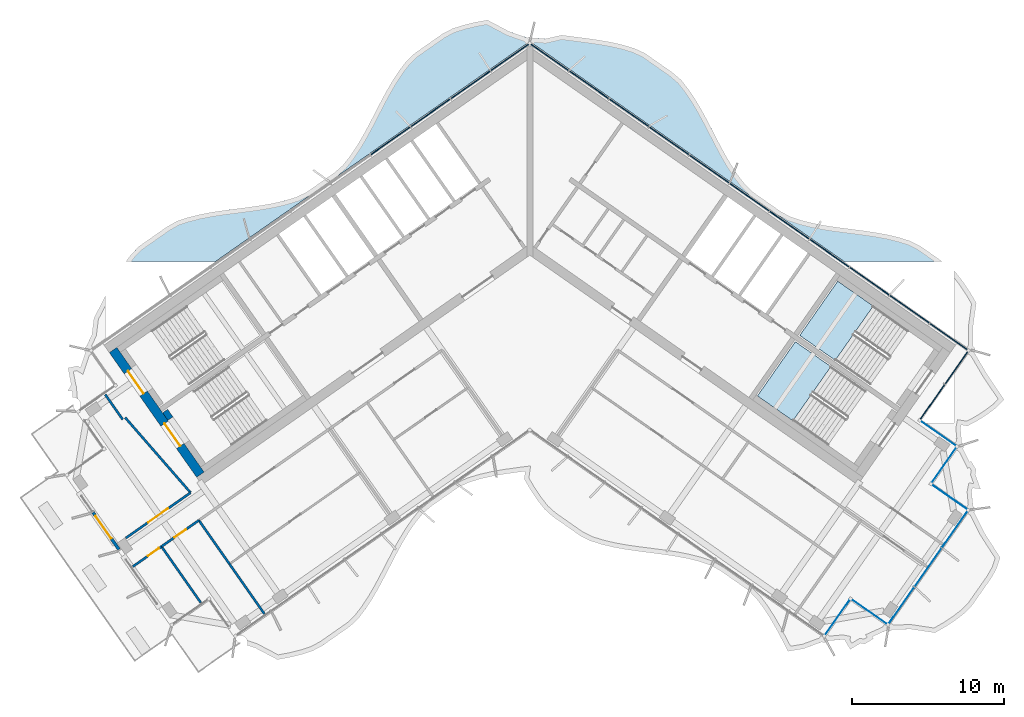
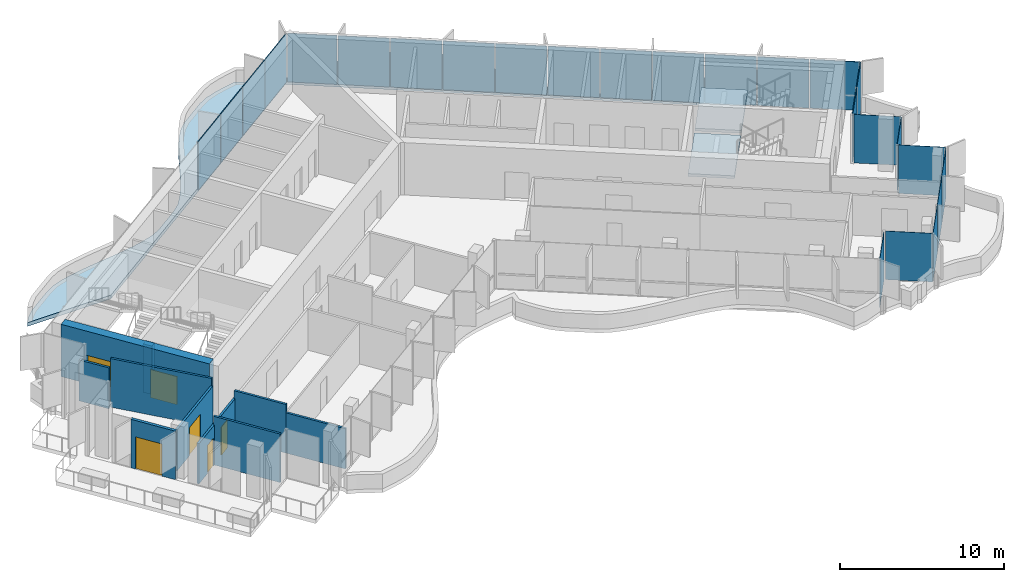
# One storey, part 8 of 18: 25 plates, 11 walls, 6 doors, 3 slabs, 6 openings, 4 elements without a shape of their own.
"""IFC4 building model written with IfcOpenShell, lengths in metres."""

from ifc_helpers import new_model, si_unit, direction, frame, frame_2d, origin, origin_2d, place, context, subcontext, project, spatial, polyline, rectangle, outline, extrude, material, layer, layer_set, type_object, element, fill, aggregate, save


model = new_model("IFC4")

# Units and contexts
model_context = context("Model", 3, precision=1e-05, world=origin(), true_north=direction((0.0, 1.0)))
body_context = subcontext(model_context, "Body", "Model", "MODEL_VIEW")
ifc_project = project(units=[si_unit("LENGTHUNIT", "METRE"), si_unit("AREAUNIT", "SQUARE_METRE"), si_unit("VOLUMEUNIT", "CUBIC_METRE"), si_unit("PLANEANGLEUNIT", "RADIAN"), si_unit("MASSUNIT", "GRAM", prefix="KILO")], contexts=[model_context])

# Site, building, storey
site_placement = place(None, origin())
site = spatial("IfcSite", under=ifc_project, at=site_placement, CompositionType="ELEMENT")
building_placement = place(site_placement, origin())
building = spatial("IfcBuilding", under=site, at=building_placement, Name="Tel Ilan Convention Tower", CompositionType="ELEMENT")
storey_placement = place(building_placement, frame((0.0, 0.0, 295.60009765625)))
storey = spatial("IfcBuildingStorey", under=building, at=storey_placement, Name="L70", CompositionType="ELEMENT", Elevation=295.60009765625)

# Curtain wall, plates
ifc_material_1 = material(Name="Aluminium, bronze anodised", Category="aluminium")
curtain_wall_type_1 = type_object("IfcCurtainWallType", Name="CW2 STICK CURTAIN WALL, SPANDREL PANELS", PredefinedType="NOTDEFINED", material=ifc_material_1)
curtain_wall_1_placement = place(storey_placement, origin())
curtain_wall_1 = element("IfcCurtainWall", 1, at=curtain_wall_1_placement, inside=storey, type_object=curtain_wall_type_1, Name="Curtain wall CW2-53.01", PredefinedType="NOTDEFINED")
ifc_material_2 = material(Name="Aluminium composite panel, bronze anodised", Category="aluminium")
ifc_layer_1 = layer(ifc_material_2, 0.06005859375)
ifc_layer_set_1 = layer_set([ifc_layer_1], Name="CW SPANDREL PANEL 60")
plate_type_1 = type_object("IfcPlateType", Name="CW SPANDREL PANEL 60", PredefinedType="CURTAIN_PANEL", material=ifc_layer_set_1)
plate_1_placement = place(storey_placement, frame((26.45947265625, -10.85400390625, -0.000244140625), z_axis=(0.0, 0.0, 1.0), x_axis=(0.573576436351, 0.819152044289, 0.0)))
plate_1 = element("IfcPlate", 2, at=plate_1_placement, type_object=plate_type_1, Name="Spandrel panel", PredefinedType="CURTAIN_PANEL", context=body_context, shape_type="SweptSolid", body=[
    extrude(rectangle(XDim=2.76904296875, YDim=0.06005859375, at=origin_2d()), origin(), (0.0, 0.0, 1.0), 3.6201171875),
])
plate_2_placement = place(storey_placement, frame((28.042236328125, -8.593505859375, -0.000244140625), z_axis=(0.0, 0.0, 1.0), x_axis=(0.573576436351, 0.819152044289, 0.0)))
plate_2 = element("IfcPlate", 3, at=plate_2_placement, type_object=plate_type_1, Name="Spandrel panel", PredefinedType="CURTAIN_PANEL", context=body_context, shape_type="SweptSolid", body=[
    extrude(rectangle(XDim=2.6298828125, YDim=0.06005859375, at=origin_2d()), origin(), (0.0, 0.0, 1.0), 3.6201171875),
])
plate_3_placement = place(storey_placement, frame((27.5400390625, -6.587646484375, -0.000244140625), z_axis=(0.0, 0.0, 1.0), x_axis=(-0.819152044289, 0.573576436351, 0.0)))
plate_3 = element("IfcPlate", 4, at=plate_3_placement, type_object=plate_type_1, Name="Spandrel panel", PredefinedType="CURTAIN_PANEL", context=body_context, shape_type="SweptSolid", body=[
    extrude(rectangle(XDim=3.0439453125, YDim=0.06005859375, at=origin_2d()), origin(), (0.0, 0.0, 1.0), 3.6201171875),
])
plate_4_placement = place(storey_placement, frame((24.95263671875, -4.77587890625, -0.000244140625), z_axis=(0.0, 0.0, 1.0), x_axis=(-0.819152044289, 0.573576436351, 0.0)))
plate_4 = element("IfcPlate", 5, at=plate_4_placement, type_object=plate_type_1, Name="Spandrel panel", PredefinedType="CURTAIN_PANEL", context=body_context, shape_type="SweptSolid", body=[
    extrude(rectangle(XDim=3.15380859375, YDim=0.06005859375, at=origin_2d()), origin(), (0.0, 0.0, 1.0), 3.6201171875),
])
plate_5_placement = place(storey_placement, frame((22.31982421875, -2.9326171875, -0.000244140625), z_axis=(0.0, 0.0, 1.0), x_axis=(-0.819152044289, 0.573576436351, 0.0)))
plate_5 = element("IfcPlate", 6, at=plate_5_placement, type_object=plate_type_1, Name="Spandrel panel", PredefinedType="CURTAIN_PANEL", context=body_context, shape_type="SweptSolid", body=[
    extrude(rectangle(XDim=3.15380859375, YDim=0.06005859375, at=origin_2d()), origin(), (0.0, 0.0, 1.0), 3.6201171875),
])
plate_6_placement = place(storey_placement, frame((19.687255859375, -1.089111328125, -0.000244140625), z_axis=(0.0, 0.0, 1.0), x_axis=(-0.819152044289, 0.573576436351, 0.0)))
plate_6 = element("IfcPlate", 7, at=plate_6_placement, type_object=plate_type_1, Name="Spandrel panel", PredefinedType="CURTAIN_PANEL", context=body_context, shape_type="SweptSolid", body=[
    extrude(rectangle(XDim=3.15380859375, YDim=0.06005859375, at=origin_2d()), origin(), (0.0, 0.0, 1.0), 3.6201171875),
])
plate_7_placement = place(storey_placement, frame((17.0546875, 0.754150390625, -0.000244140625), z_axis=(0.0, 0.0, 1.0), x_axis=(-0.819152044289, 0.573576436351, 0.0)))
plate_7 = element("IfcPlate", 8, at=plate_7_placement, type_object=plate_type_1, Name="Spandrel panel", PredefinedType="CURTAIN_PANEL", context=body_context, shape_type="SweptSolid", body=[
    extrude(rectangle(XDim=3.15380859375, YDim=0.06005859375, at=origin_2d()), origin(), (0.0, 0.0, 1.0), 3.6201171875),
])
plate_8_placement = place(storey_placement, frame((14.422119140625, 2.59765625, -0.000244140625), z_axis=(0.0, 0.0, 1.0), x_axis=(-0.819152044289, 0.573576436351, 0.0)))
plate_8 = element("IfcPlate", 9, at=plate_8_placement, type_object=plate_type_1, Name="Spandrel panel", PredefinedType="CURTAIN_PANEL", context=body_context, shape_type="SweptSolid", body=[
    extrude(rectangle(XDim=3.15380859375, YDim=0.06005859375, at=origin_2d()), origin(), (0.0, 0.0, 1.0), 3.6201171875),
])
plate_9_placement = place(storey_placement, frame((11.789306640625, 4.44091796875, -0.000244140625), z_axis=(0.0, 0.0, 1.0), x_axis=(-0.819152044289, 0.573576436351, 0.0)))
plate_9 = element("IfcPlate", 10, at=plate_9_placement, type_object=plate_type_1, Name="Spandrel panel", PredefinedType="CURTAIN_PANEL", context=body_context, shape_type="SweptSolid", body=[
    extrude(rectangle(XDim=3.15380859375, YDim=0.06005859375, at=origin_2d()), origin(), (0.0, 0.0, 1.0), 3.6201171875),
])
plate_10_placement = place(storey_placement, frame((9.15673828125, 6.284423828125, -0.000244140625), z_axis=(0.0, 0.0, 1.0), x_axis=(-0.819152044289, 0.573576436351, 0.0)))
plate_10 = element("IfcPlate", 11, at=plate_10_placement, type_object=plate_type_1, Name="Spandrel panel", PredefinedType="CURTAIN_PANEL", context=body_context, shape_type="SweptSolid", body=[
    extrude(rectangle(XDim=3.15380859375, YDim=0.06005859375, at=origin_2d()), origin(), (0.0, 0.0, 1.0), 3.6201171875),
])
plate_11_placement = place(storey_placement, frame((6.524169921875, 8.127685546875, -0.000244140625), z_axis=(0.0, 0.0, 1.0), x_axis=(-0.819152044289, 0.573576436351, 0.0)))
plate_11 = element("IfcPlate", 12, at=plate_11_placement, type_object=plate_type_1, Name="Spandrel panel", PredefinedType="CURTAIN_PANEL", context=body_context, shape_type="SweptSolid", body=[
    extrude(rectangle(XDim=3.15380859375, YDim=0.06005859375, at=origin_2d()), origin(), (0.0, 0.0, 1.0), 3.6201171875),
])
plate_12_placement = place(storey_placement, frame((3.8916015625, 9.97119140625, -0.000244140625), z_axis=(0.0, 0.0, 1.0), x_axis=(-0.819152044289, 0.573576436351, 0.0)))
plate_12 = element("IfcPlate", 13, at=plate_12_placement, type_object=plate_type_1, Name="Spandrel panel", PredefinedType="CURTAIN_PANEL", context=body_context, shape_type="SweptSolid", body=[
    extrude(rectangle(XDim=3.15380859375, YDim=0.06005859375, at=origin_2d()), origin(), (0.0, 0.0, 1.0), 3.6201171875),
])
plate_13_placement = place(storey_placement, frame((1.303955078125, 11.782958984375, -0.000244140625), z_axis=(0.0, 0.0, 1.0), x_axis=(-0.819152044289, 0.573576436351, 0.0)))
plate_13 = element("IfcPlate", 14, at=plate_13_placement, type_object=plate_type_1, Name="Spandrel panel", PredefinedType="CURTAIN_PANEL", context=body_context, shape_type="SweptSolid", body=[
    extrude(rectangle(XDim=3.0439453125, YDim=0.06005859375, at=origin_2d()), origin(), (0.0, 0.0, 1.0), 3.6201171875),
])
plate_14_placement = place(storey_placement, frame((-1.303955078125, 11.782958984375, -0.000244140625), z_axis=(0.0, 0.0, 1.0), x_axis=(-0.819152044289, -0.573576436351, 0.0)))
plate_14 = element("IfcPlate", 15, at=plate_14_placement, type_object=plate_type_1, Name="Spandrel panel", PredefinedType="CURTAIN_PANEL", context=body_context, shape_type="SweptSolid", body=[
    extrude(rectangle(XDim=3.0439453125, YDim=0.06005859375, at=origin_2d()), origin(), (0.0, 0.0, 1.0), 3.6201171875),
])
plate_15_placement = place(storey_placement, frame((-3.8916015625, 9.97119140625, -0.000244140625), z_axis=(0.0, 0.0, 1.0), x_axis=(-0.819152044289, -0.573576436351, 0.0)))
plate_15 = element("IfcPlate", 16, at=plate_15_placement, type_object=plate_type_1, Name="Spandrel panel", PredefinedType="CURTAIN_PANEL", context=body_context, shape_type="SweptSolid", body=[
    extrude(rectangle(XDim=3.15380859375, YDim=0.06005859375, at=origin_2d()), origin(), (0.0, 0.0, 1.0), 3.6201171875),
])
plate_16_placement = place(storey_placement, frame((-6.524169921875, 8.127685546875, -0.000244140625), z_axis=(0.0, 0.0, 1.0), x_axis=(-0.819152044289, -0.573576436351, 0.0)))
plate_16 = element("IfcPlate", 17, at=plate_16_placement, type_object=plate_type_1, Name="Spandrel panel", PredefinedType="CURTAIN_PANEL", context=body_context, shape_type="SweptSolid", body=[
    extrude(rectangle(XDim=3.15380859375, YDim=0.06005859375, at=origin_2d()), origin(), (0.0, 0.0, 1.0), 3.6201171875),
])
plate_17_placement = place(storey_placement, frame((-9.15673828125, 6.284423828125, -0.000244140625), z_axis=(0.0, 0.0, 1.0), x_axis=(-0.819152044289, -0.573576436351, 0.0)))
plate_17 = element("IfcPlate", 18, at=plate_17_placement, type_object=plate_type_1, Name="Spandrel panel", PredefinedType="CURTAIN_PANEL", context=body_context, shape_type="SweptSolid", body=[
    extrude(rectangle(XDim=3.15380859375, YDim=0.06005859375, at=origin_2d()), origin(), (0.0, 0.0, 1.0), 3.6201171875),
])
aggregate(curtain_wall_1, [plate_1, plate_2, plate_3, plate_4, plate_5, plate_6, plate_7, plate_8, plate_9, plate_10, plate_11, plate_12, plate_13, plate_14, plate_15, plate_16, plate_17])

ifc_material_3 = material(Name="Aluminium, bronze anodised", Category="aluminium")
curtain_wall_type_2 = type_object("IfcCurtainWallType", Name="CW5 STICK CURTAIN WALL, UPPER OFFICE LOW-IRON TINTED GLASS", PredefinedType="NOTDEFINED", material=ifc_material_3)
curtain_wall_2_placement = place(storey_placement, origin())
curtain_wall_2 = element("IfcCurtainWall", 19, at=curtain_wall_2_placement, inside=storey, type_object=curtain_wall_type_2, Name="Curtain wall CW5-53.04", PredefinedType="NOTDEFINED")
ifc_material_4 = material(Name="Glass, low-iron bronze tinted, two-ply", Category="glass")
ifc_layer_2 = layer(ifc_material_4, 0.031982421875)
ifc_layer_set_2 = layer_set([ifc_layer_2], Name="CW UPPER GLASS PANEL 32")
plate_type_2 = type_object("IfcPlateType", Name="CW UPPER GLASS PANEL 32", PredefinedType="CURTAIN_PANEL", material=ifc_layer_set_2)
plate_18_placement = place(storey_placement, frame((20.184814453125, -25.04541015625, -0.000244140625), z_axis=(0.0, 0.0, 1.0), x_axis=(0.573576436351, 0.819152044289, 0.0)))
plate_18 = element("IfcPlate", 20, at=plate_18_placement, type_object=plate_type_2, Name="Glass panel", PredefinedType="CURTAIN_PANEL", context=body_context, shape_type="SweptSolid", body=[
    extrude(rectangle(XDim=2.875, YDim=0.028076171875, at=origin_2d()), origin(), (0.0, 0.0, 1.0), 3.6201171875),
])
plate_19_placement = place(storey_placement, frame((22.32763671875, -24.667724609375, -0.000244140625), z_axis=(0.0, 0.0, 1.0), x_axis=(0.819152044289, -0.573576436351, 0.0)))
plate_19 = element("IfcPlate", 21, at=plate_19_placement, type_object=plate_type_2, Name="Glass panel", PredefinedType="CURTAIN_PANEL", context=body_context, shape_type="SweptSolid", body=[
    extrude(rectangle(XDim=2.875, YDim=0.028076171875, at=origin_2d()), origin(), (0.0, 0.0, 1.0), 3.6201171875),
])
plate_20_placement = place(storey_placement, frame((24.39306640625, -24.26611328125, -0.000244140625), z_axis=(0.0, 0.0, 1.0), x_axis=(0.573576436351, 0.819152044289, 0.0)))
plate_20 = element("IfcPlate", 22, at=plate_20_placement, type_object=plate_type_2, Name="Glass panel", PredefinedType="CURTAIN_PANEL", context=body_context, shape_type="SweptSolid", body=[
    extrude(rectangle(XDim=2.979248046875, YDim=0.028076171875, at=origin_2d()), origin(), (0.0, 0.0, 1.0), 3.6201171875),
])
plate_21_placement = place(storey_placement, frame((26.163330078125, -21.73779296875, -0.000244140625), z_axis=(0.0, 0.0, 1.0), x_axis=(0.573576436351, 0.819152044289, 0.0)))
plate_21 = element("IfcPlate", 23, at=plate_21_placement, type_object=plate_type_2, Name="Glass panel", PredefinedType="CURTAIN_PANEL", context=body_context, shape_type="SweptSolid", body=[
    extrude(rectangle(XDim=3.0732421875, YDim=0.028076171875, at=origin_2d()), origin(), (0.0, 0.0, 1.0), 3.6201171875),
])
plate_22_placement = place(storey_placement, frame((27.93359375, -19.209716796875, -0.000244140625), z_axis=(0.0, 0.0, 1.0), x_axis=(0.573576436351, 0.819152044289, 0.0)))
plate_22 = element("IfcPlate", 24, at=plate_22_placement, type_object=plate_type_2, Name="Glass panel", PredefinedType="CURTAIN_PANEL", context=body_context, shape_type="SweptSolid", body=[
    extrude(rectangle(XDim=2.979248046875, YDim=0.028076171875, at=origin_2d()), origin(), (0.0, 0.0, 1.0), 3.6201171875),
])
plate_23_placement = place(storey_placement, frame((27.6044921875, -17.131591796875, -0.000244140625), z_axis=(0.0, 0.0, 1.0), x_axis=(-0.819152044289, 0.573576436351, 0.0)))
plate_23 = element("IfcPlate", 25, at=plate_23_placement, type_object=plate_type_2, Name="Glass panel", PredefinedType="CURTAIN_PANEL", context=body_context, shape_type="SweptSolid", body=[
    extrude(rectangle(XDim=2.875, YDim=0.028076171875, at=origin_2d()), origin(), (0.0, 0.0, 1.0), 3.6201171875),
])
plate_24_placement = place(storey_placement, frame((27.2265625, -14.98876953125, -0.000244140625), z_axis=(0.0, 0.0, 1.0), x_axis=(0.573576436351, 0.819152044289, 0.0)))
plate_24 = element("IfcPlate", 26, at=plate_24_placement, type_object=plate_type_2, Name="Glass panel", PredefinedType="CURTAIN_PANEL", context=body_context, shape_type="SweptSolid", body=[
    extrude(rectangle(XDim=2.875, YDim=0.028076171875, at=origin_2d()), origin(), (0.0, 0.0, 1.0), 3.6201171875),
])
plate_25_placement = place(storey_placement, frame((26.86767578125, -12.953369140625, -0.000244140625), z_axis=(0.0, 0.0, 1.0), x_axis=(-0.819152044289, 0.573576436351, 0.0)))
plate_25 = element("IfcPlate", 27, at=plate_25_placement, type_object=plate_type_2, Name="Glass panel", PredefinedType="CURTAIN_PANEL", context=body_context, shape_type="SweptSolid", body=[
    extrude(rectangle(XDim=2.875, YDim=0.028076171875, at=origin_2d()), origin(), (0.0, 0.0, 1.0), 3.6201171875),
])
aggregate(curtain_wall_2, [plate_18, plate_19, plate_20, plate_21, plate_22, plate_23, plate_24, plate_25])

# Stair, slab
ifc_material_5 = material(Name="Concrete C40/50", Category="concrete")
stair_type = type_object("IfcStairType", Name="Pressurised Exit Stair 22 risers 177 mm", PredefinedType="HALF_TURN_STAIR", material=ifc_material_5)
stair_1_placement = place(storey_placement, origin())
stair_1 = element("IfcStair", 28, at=stair_1_placement, inside=storey, type_object=stair_type, Name="L70 Pressurised Stair S3", PredefinedType="HALF_TURN_STAIR")
ifc_material_6 = material(Name="Concrete C40/50", Category="concrete")
ifc_layer_3 = layer(ifc_material_6, 0.199951171875)
ifc_layer_set_3 = layer_set([ifc_layer_3], Name="Concrete Stair Landing 200 mm C40/50")
slab_type_1 = type_object("IfcSlabType", Name="Concrete Stair Landing 200 mm", PredefinedType="LANDING", material=ifc_layer_set_3)
slab_1_placement = place(storey_placement, frame((0.0, 0.0, 1.75)))
slab_1 = element("IfcSlab", 29, at=slab_1_placement, type_object=slab_type_1, Name="S3 landing 1", PredefinedType="LANDING", context=body_context, shape_type="SweptSolid", body=[
    extrude(outline(polyline([(22.561767578125, -4.566650390625), (20.226318359375, -2.931640625), (17.7314453125, -6.494873046875), (20.066650390625, -8.130126953125), (22.561767578125, -4.566650390625)])), origin(), (0.0, 0.0, 1.0), 0.199951171875),
])
aggregate(stair_1, [slab_1])

stair_2_placement = place(storey_placement, origin())
stair_2 = element("IfcStair", 30, at=stair_2_placement, inside=storey, type_object=stair_type, Name="L70 Pressurised Stair S4", PredefinedType="HALF_TURN_STAIR")
slab_2_placement = place(storey_placement, frame((0.0, 0.0, 1.75)))
slab_2 = element("IfcSlab", 31, at=slab_2_placement, type_object=slab_type_1, Name="S4 landing 1", PredefinedType="LANDING", context=body_context, shape_type="SweptSolid", body=[
    extrude(outline(polyline([(19.77978515625, -8.53955078125), (17.444580078125, -6.904541015625), (14.949462890625, -10.4677734375), (17.28466796875, -12.10302734375), (19.77978515625, -8.53955078125)])), origin(), (0.0, 0.0, 1.0), 0.199951171875),
])
aggregate(stair_2, [slab_2])

# Slab
ifc_material_7 = material(Name="Concrete C40/50", Category="concrete")
ifc_layer_4 = layer(ifc_material_7, 0.280029296875)
ifc_layer_set_4 = layer_set([ifc_layer_4], Name="Edge Ledge Slab 280 mm C40/50")
slab_type_2 = type_object("IfcSlabType", Name="Edge Ledge Slab 280 mm C40/50", PredefinedType="FLOOR", material=ifc_layer_set_4)
slab_3_placement = place(storey_placement, frame((0.0, 0.0, -0.280029296875)))
element("IfcSlab", 32, at=slab_3_placement, inside=storey, type_object=slab_type_2, Name="L70 edge ledge 2", PredefinedType="FLOOR", context=body_context, shape_type="SweptSolid", body=[
    extrude(outline(polyline([(-23.1982421875, 1.006591796875), (-22.4697265625, 1.250244140625), (-21.705322265625, 1.44287109375), (-20.91259765625, 1.594482421875), (-20.099365234375, 1.71728515625), (-19.275146484375, 1.824462890625), (-18.44970703125, 1.9296875), (-17.6328125, 2.047119140625), (-16.833984375, 2.18994140625), (-16.0615234375, 2.37109375), (-15.3232421875, 2.6005859375), (-14.651611328125, 2.92529296875), (-12.841552734375, 4.192626953125), (-12.284912109375, 4.681640625), (-11.809326171875, 5.28662109375), (-11.369140625, 5.94189453125), (-10.956787109375, 6.63720703125), (-10.564453125, 7.36083984375), (-10.182373046875, 8.09912109375), (-9.80078125, 8.83837890625), (-9.410400390625, 9.564697265625), (-9.001220703125, 10.264404296875), (-8.56494140625, 10.925537109375), (-8.094482421875, 11.53759765625), (-7.552001953125, 12.047119140625), (-5.7421875, 13.314208984375), (-5.0849609375, 13.66015625), (-4.3515625, 13.896484375), (-3.5830078125, 14.083251953125), (-2.785888671875, 14.228515625), (-1.357666015625, 13.472900390625), (-0.172119140625, 13.06396484375), (-0.168701171875, 13.05908203125), (-0.11474609375, 13.09521484375), (0.0, 13.1181640625), (0.11474609375, 13.09521484375), (0.168701171875, 13.05908203125), (0.172119140625, 13.06396484375), (1.02001953125, 12.99072265625), (2.08935546875, 13.234130859375), (2.913818359375, 13.12744140625), (3.739501953125, 13.0224609375), (4.55712890625, 12.90625), (5.357666015625, 12.765380859375), (6.132080078125, 12.587158203125), (6.872802734375, 12.361083984375), (7.552001953125, 12.047119140625), (9.36181640625, 10.77978515625), (9.925537109375, 10.300537109375), (10.403564453125, 9.69921875), (10.845947265625, 9.046875), (11.259521484375, 8.353515625), (11.653076171875, 7.631591796875), (12.035400390625, 6.893798828125), (12.416748046875, 6.154052734375), (12.806396484375, 5.426513671875), (13.214111328125, 4.724609375), (13.648193359375, 4.060791015625), (14.116455078125, 3.4453125), (14.651611328125, 2.92529296875), (16.46142578125, 1.657958984375), (17.111328125, 1.30224609375), (17.84228515625, 1.062255859375), (18.60888671875, 0.87255859375), (19.4033203125, 0.72314453125), (20.21728515625, 0.601806640625), (21.0419921875, 0.495361328125), (21.8671875, 0.3896484375), (22.68310546875, 0.27099609375), (23.480712890625, 0.1259765625), (24.2509765625, -0.057861328125), (24.987060546875, -0.290771484375), (25.6513671875, -0.626220703125), (27.087158203125, -1.631591796875), (20.63623046875, -1.631591796875), (0.0, 12.818115234375), (-20.63623046875, -1.631591796875), (-26.535888671875, -1.631591796875), (-26.1787109375, -1.156982421875), (-25.6513671875, -0.626220703125), (-23.84130859375, 0.64111328125), (-23.1982421875, 1.006591796875)])), origin(), (0.0, 0.0, 1.0), 0.280029296875),
])

# Wall, openings, doors
ifc_material_8 = material(Name="Concrete C40/50", Category="concrete")
ifc_layer_5 = layer(ifc_material_8, 0.60009765625)
ifc_layer_set_5 = layer_set([ifc_layer_5], Name="Core Shear Wall 600 mm C40/50")
wall_type_1 = type_object("IfcWallType", Name="Core Shear Wall 600 mm C40/50", PredefinedType="SHEAR", material=ifc_layer_set_5)
wall_1_placement = place(storey_placement, frame((-21.641845703125, -15.64208984375, 0.0), z_axis=(0.0, 0.0, 1.0), x_axis=(-0.573586866468, 0.819144740944, 0.0)))
wall_1 = element("IfcWall", 33, at=wall_1_placement, inside=storey, type_object=wall_type_1, Name="L70 core wall W-end", PredefinedType="SHEAR", context=body_context, shape_type="SweptSolid", body=[
    extrude(outline(polyline([(0.0, 0.300048828125), (0.0, -0.2998046875), (10.0, -0.300048828125), (10.0, 0.300048828125), (0.0, 0.300048828125)])), origin(), (0.0, 0.0, 1.0), 3.89990234375),
])
opening_1_placement = place(wall_1_placement, frame((6.5, 0.0, 0.0)))
opening_1 = element("IfcOpeningElement", 34, at=opening_1_placement, cuts=wall_1, Name="Opening SD5301", PredefinedType="OPENING", context=body_context, shape_type="SweptSolid", body=[
    extrude(rectangle(XDim=1.800048828125, YDim=2.10009765625, at=frame_2d((0.89990234375, 1.050048828125))), frame((0.0, 0.31005859375, 0.0), z_axis=(0.0, -1.0, 0.0), x_axis=(1.0, 0.0, 0.0)), (0.0, 0.0, 1.0), 0.6201171875),
])
opening_2_placement = place(wall_1_placement, frame((2.300048828125, 0.0, 0.0)))
opening_2 = element("IfcOpeningElement", 35, at=opening_2_placement, cuts=wall_1, Name="Opening SD5302", PredefinedType="OPENING", context=body_context, shape_type="SweptSolid", body=[
    extrude(rectangle(XDim=1.800048828125, YDim=2.10009765625, at=frame_2d((0.89990234375, 1.050048828125))), frame((0.0, 0.31005859375, 0.0), z_axis=(0.0, -1.0, 0.0), x_axis=(1.0, 0.0, 0.0)), (0.0, 0.0, 1.0), 0.6201171875),
])
ifc_material_9 = material(Name="Galvanised Steel Door Leaf", Category="steel")
door_type_1 = type_object("IfcDoorType", Name="Stair Fire Door 1800 x 2100 FD60S", OperationType="NOTDEFINED", PredefinedType="DOOR", material=ifc_material_9)
door_1_placement = place(opening_1_placement, origin())
door_1 = element("IfcDoor", 36, at=door_1_placement, inside=storey, type_object=door_type_1, Name="Stair S1 door", OperationType="DOUBLE_DOOR_SINGLE_SWING", OverallHeight=2.10009765625, OverallWidth=1.800048828125, PredefinedType="DOOR", context=body_context, shape_type="SweptSolid", body=[
    extrude(rectangle(XDim=1.800048828125, YDim=2.10009765625, at=frame_2d((0.89990234375, 1.050048828125))), frame((0.0, 0.02490234375, 0.0), z_axis=(0.0, -1.0, 0.0), x_axis=(1.0, 0.0, 0.0)), (0.0, 0.0, 1.0), 0.050048828125),
])
fill(opening_1, door_1)
door_2_placement = place(opening_2_placement, origin())
door_2 = element("IfcDoor", 37, at=door_2_placement, inside=storey, type_object=door_type_1, Name="Stair S2 door", OperationType="DOUBLE_DOOR_SINGLE_SWING", OverallHeight=2.10009765625, OverallWidth=1.800048828125, PredefinedType="DOOR", context=body_context, shape_type="SweptSolid", body=[
    extrude(rectangle(XDim=1.800048828125, YDim=2.10009765625, at=frame_2d((0.89990234375, 1.050048828125))), frame((0.0, 0.02490234375, 0.0), z_axis=(0.0, -1.0, 0.0), x_axis=(1.0, 0.0, 0.0)), (0.0, 0.0, 1.0), 0.050048828125),
])
fill(opening_2, door_2)

# Wall, opening, door
ifc_material_10 = material(Name="Plasterboard on Steel Studs", Category="steel")
ifc_layer_6 = layer(ifc_material_10, 0.14990234375)
ifc_layer_set_6 = layer_set([ifc_layer_6], Name="Fire-rated Partition 150 EI 60")
wall_type_2 = type_object("IfcWallType", Name="Fire-rated Partition 150 EI 60", PredefinedType="PARTITIONING", material=ifc_layer_set_6)
wall_2_placement = place(storey_placement, frame((-26.540283203125, -19.804443359375, 0.0), z_axis=(0.0, 0.0, 1.0), x_axis=(0.819163496387, 0.573560080713, 0.0)))
wall_2 = element("IfcWall", 38, at=wall_2_placement, inside=storey, type_object=wall_type_2, Name="Partition 005", PredefinedType="PARTITIONING", context=body_context, shape_type="SweptSolid", body=[
    extrude(rectangle(XDim=5.19677734375, YDim=0.14990234375, at=frame_2d((2.598388671875, 0.0))), origin(), (0.0, 0.0, 1.0), 3.0498046875),
])
opening_3_placement = place(wall_2_placement, frame((1.798583984375, 0.0, 0.0)))
opening_3 = element("IfcOpeningElement", 39, at=opening_3_placement, cuts=wall_2, Name="Opening L70-008", PredefinedType="OPENING", context=body_context, shape_type="SweptSolid", body=[
    extrude(rectangle(XDim=1.60009765625, YDim=2.10009765625, at=frame_2d((0.800048828125, 1.050048828125))), frame((0.0, 0.0849609375, 0.0), z_axis=(0.0, -1.0, 0.0), x_axis=(1.0, 0.0, 0.0)), (0.0, 0.0, 1.0), 0.169921875),
])
ifc_material_11 = material(Name="Timber Door Leaf in Steel Frame", Category="steel")
door_type_2 = type_object("IfcDoorType", Name="Tenant Suite Entrance Fire Door 1600x2100", OperationType="NOTDEFINED", PredefinedType="DOOR", material=ifc_material_11)
door_3_placement = place(opening_3_placement, origin())
door_3 = element("IfcDoor", 40, at=door_3_placement, inside=storey, type_object=door_type_2, Name="Door L70-008", OperationType="DOUBLE_DOOR_SINGLE_SWING", OverallHeight=2.10009765625, OverallWidth=1.60009765625, PredefinedType="DOOR", context=body_context, shape_type="SweptSolid", body=[
    extrude(rectangle(XDim=1.60009765625, YDim=2.10009765625, at=frame_2d((0.800048828125, 1.050048828125))), frame((0.0, 0.02490234375, 0.0), z_axis=(0.0, -1.0, 0.0), x_axis=(1.0, 0.0, 0.0)), (0.0, 0.0, 1.0), 0.050048828125),
])
fill(opening_3, door_3)

wall_3_placement = place(storey_placement, frame((-21.73828125, -18.639404296875, 0.0), z_axis=(0.0, 0.0, 1.0), x_axis=(-0.81916700466, -0.573555070134, 0.0)))
wall_3 = element("IfcWall", 41, at=wall_3_placement, inside=storey, type_object=wall_type_2, Name="Partition 009", PredefinedType="PARTITIONING", context=body_context, shape_type="SweptSolid", body=[
    extrude(rectangle(XDim=3.00390625, YDim=0.14990234375, at=frame_2d((1.501953125, 0.0))), origin(), (0.0, 0.0, 1.0), 3.0498046875),
])
opening_4_placement = place(wall_3_placement, frame((1.052001953125, 0.0, 0.0)))
opening_4 = element("IfcOpeningElement", 42, at=opening_4_placement, cuts=wall_3, Name="Opening L70-006", PredefinedType="OPENING", context=body_context, shape_type="SweptSolid", body=[
    extrude(rectangle(XDim=0.89990234375, YDim=2.10009765625, at=frame_2d((0.449951171875, 1.050048828125))), frame((0.0, 0.0849609375, 0.0), z_axis=(0.0, -1.0, 0.0), x_axis=(1.0, 0.0, 0.0)), (0.0, 0.0, 1.0), 0.169921875),
])
ifc_material_12 = material(Name="Timber Door Leaf in Steel Frame", Category="steel")
door_type_3 = type_object("IfcDoorType", Name="Room Fire Door 900x2100", OperationType="NOTDEFINED", PredefinedType="DOOR", material=ifc_material_12)
door_4_placement = place(opening_4_placement, origin())
door_4 = element("IfcDoor", 43, at=door_4_placement, inside=storey, type_object=door_type_3, Name="Door L70-006", OperationType="SINGLE_SWING_LEFT", OverallHeight=2.10009765625, OverallWidth=0.89990234375, PredefinedType="DOOR", context=body_context, shape_type="SweptSolid", body=[
    extrude(rectangle(XDim=0.89990234375, YDim=2.10009765625, at=frame_2d((0.449951171875, 1.050048828125))), frame((0.0, 0.02490234375, 0.0), z_axis=(0.0, -1.0, 0.0), x_axis=(1.0, 0.0, 0.0)), (0.0, 0.0, 1.0), 0.050048828125),
])
fill(opening_4, door_4)

wall_4_placement = place(storey_placement, frame((-24.195556640625, -20.360107421875, 0.0), z_axis=(0.0, 0.0, 1.0), x_axis=(-0.819172126429, -0.573547755014, 0.0)))
wall_4 = element("IfcWall", 44, at=wall_4_placement, inside=storey, type_object=wall_type_2, Name="Partition 010", PredefinedType="PARTITIONING", context=body_context, shape_type="SweptSolid", body=[
    extrude(rectangle(XDim=2.302001953125, YDim=0.14990234375, at=frame_2d((1.15087890625, 0.0))), origin(), (0.0, 0.0, 1.0), 3.0),
])
opening_5_placement = place(wall_4_placement, frame((0.200927734375, 0.0, 0.0)))
opening_5 = element("IfcOpeningElement", 45, at=opening_5_placement, cuts=wall_4, Name="Opening L70-007", PredefinedType="OPENING", context=body_context, shape_type="SweptSolid", body=[
    extrude(rectangle(XDim=0.89990234375, YDim=2.10009765625, at=frame_2d((0.449951171875, 1.050048828125))), frame((0.0, 0.0849609375, 0.0), z_axis=(0.0, -1.0, 0.0), x_axis=(1.0, 0.0, 0.0)), (0.0, 0.0, 1.0), 0.169921875),
])
door_5_placement = place(opening_5_placement, origin())
door_5 = element("IfcDoor", 46, at=door_5_placement, inside=storey, type_object=door_type_3, Name="Door L70-007", OperationType="SINGLE_SWING_RIGHT", OverallHeight=2.10009765625, OverallWidth=0.89990234375, PredefinedType="DOOR", context=body_context, shape_type="SweptSolid", body=[
    extrude(rectangle(XDim=0.89990234375, YDim=2.10009765625, at=frame_2d((0.449951171875, 1.050048828125))), frame((0.0, 0.02490234375, 0.0), z_axis=(0.0, -1.0, 0.0), x_axis=(1.0, 0.0, 0.0)), (0.0, 0.0, 1.0), 0.050048828125),
])
fill(opening_5, door_5)

# Walls
wall_5_placement = place(storey_placement, frame((-26.74609375, -12.013671875, 0.0), z_axis=(0.0, 0.0, 1.0), x_axis=(-0.573568836472, 0.819157365729, 0.0)))
element("IfcWall", 47, at=wall_5_placement, inside=storey, type_object=wall_type_2, Name="Partition 020", PredefinedType="PARTITIONING", context=body_context, shape_type="SweptSolid", body=[
    extrude(rectangle(XDim=2.000244140625, YDim=0.14990234375, at=frame_2d((1.0, 0.0))), origin(), (0.0, 0.0, 1.0), 3.0498046875),
])
wall_6_placement = place(storey_placement, frame((-22.28369140625, -16.826416015625, 0.0), z_axis=(0.0, 0.0, 1.0), x_axis=(-0.656758142177, 0.754101281449, 0.0)))
element("IfcWall", 48, at=wall_6_placement, inside=storey, type_object=wall_type_2, Name="Partition 021", PredefinedType="PARTITIONING", context=body_context, shape_type="SweptSolid", body=[
    extrude(rectangle(XDim=6.53857421875, YDim=0.14990234375, at=frame_2d((3.269287109375, 0.0))), origin(), (0.0, 0.0, 1.0), 3.619873046875),
])
wall_7_placement = place(storey_placement, frame((-17.43798828125, -24.7841796875, 0.0), z_axis=(0.0, 0.0, 1.0), x_axis=(-0.573560675104, 0.819163080207, 0.0)))
element("IfcWall", 49, at=wall_7_placement, inside=storey, type_object=wall_type_2, Name="Partition 028", PredefinedType="PARTITIONING", context=body_context, shape_type="SweptSolid", body=[
    extrude(rectangle(XDim=3.9990234375, YDim=0.14990234375, at=frame_2d((1.99951171875, 0.0))), origin(), (0.0, 0.0, 1.0), 3.0),
])
wall_8_placement = place(storey_placement, frame((-19.732421875, -21.507568359375, 0.0), z_axis=(0.0, 0.0, 1.0), x_axis=(-0.573551294295, 0.819169648371, 0.0)))
element("IfcWall", 50, at=wall_8_placement, inside=storey, type_object=wall_type_2, Name="Partition 029", PredefinedType="PARTITIONING", context=body_context, shape_type="SweptSolid", body=[
    extrude(rectangle(XDim=3.499755859375, YDim=0.14990234375, at=frame_2d((1.75, 0.0))), origin(), (0.0, 0.0, 1.0), 3.619873046875),
])
wall_9_placement = place(storey_placement, frame((-21.6162109375, -24.047607421875, 0.0), z_axis=(0.0, 0.0, 1.0), x_axis=(-0.573560650686, 0.819163097304, 0.0)))
element("IfcWall", 51, at=wall_9_placement, inside=storey, type_object=wall_type_2, Name="Partition 030", PredefinedType="PARTITIONING", context=body_context, shape_type="SweptSolid", body=[
    extrude(rectangle(XDim=4.5, YDim=0.14990234375, at=frame_2d((2.25, 0.0))), origin(), (0.0, 0.0, 1.0), 3.619873046875),
])
ifc_material_13 = material(Name="Concrete C30/37", Category="concrete")
ifc_layer_7 = layer(ifc_material_13, 0.39990234375)
ifc_layer_set_7 = layer_set([ifc_layer_7], Name="Stair and Shaft Lining Wall 400 mm C30/37")
wall_type_3 = type_object("IfcWallType", Name="Stair and Shaft Lining Wall 400 mm C30/37", PredefinedType="SOLIDWALL", material=ifc_layer_set_7)
wall_10_placement = place(storey_placement, frame((-23.61279296875, -11.955810546875, 0.0), z_axis=(0.0, 0.0, 1.0), x_axis=(-0.573435029941, 0.819251039936, 0.0)))
element("IfcWall", 52, at=wall_10_placement, inside=storey, type_object=wall_type_3, Name="L70 core wall lining-S2-u1-1", PredefinedType="SOLIDWALL", context=body_context, shape_type="SweptSolid", body=[
    extrude(rectangle(XDim=0.599853515625, YDim=0.39990234375, at=frame_2d((0.2998046875, 0.0))), origin(), (0.0, 0.0, 1.0), 3.619873046875),
])

# Wall, opening, door
ifc_material_14 = material(Name="Aluminium composite cladding, bronze anodised on steel studs", Category="steel")
ifc_layer_8 = layer(ifc_material_14, 0.199951171875)
ifc_layer_set_8 = layer_set([ifc_layer_8], Name="TERRACE DOOR BAY WALL 200")
wall_type_4 = type_object("IfcWallType", Name="TERRACE DOOR BAY WALL 200", PredefinedType="SOLIDWALL", material=ifc_layer_set_8)
wall_11_placement = place(storey_placement, frame((-28.698486328125, -18.1171875, 0.0), z_axis=(0.0, 0.0, 1.0), x_axis=(0.57360481557, -0.819132172213, 0.0)))
wall_11 = element("IfcWall", 53, at=wall_11_placement, inside=storey, type_object=wall_type_4, Name="Terrace door bay", PredefinedType="SOLIDWALL", context=body_context, shape_type="SweptSolid", body=[
    extrude(rectangle(XDim=2.989990234375, YDim=0.199951171875, at=frame_2d((1.4951171875, 0.0))), origin(), (0.0, 0.0, 1.0), 3.619873046875),
])
opening_6_placement = place(wall_11_placement, frame((0.294921875, 0.0, 0.0)))
opening_6 = element("IfcOpeningElement", 54, at=opening_6_placement, cuts=wall_11, Name="Opening T70.01", PredefinedType="OPENING", context=body_context, shape_type="SweptSolid", body=[
    extrude(rectangle(XDim=1.800048828125, YDim=2.39990234375, at=frame_2d((0.89990234375, 1.199951171875))), frame((0.0, 0.10986328125, 0.0), z_axis=(0.0, -1.0, 0.0), x_axis=(1.0, 0.0, 0.0)), (0.0, 0.0, 1.0), 0.219970703125),
])
ifc_material_15 = material(Name="Aluminium framed glazed door, bronze anodised", Category="aluminium")
door_type_4 = type_object("IfcDoorType", Name="TERRACE DOUBLE DOOR 1800x2400", OperationType="NOTDEFINED", PredefinedType="DOOR", material=ifc_material_15)
door_6_placement = place(opening_6_placement, origin())
door_6 = element("IfcDoor", 55, at=door_6_placement, inside=storey, type_object=door_type_4, Name="Terrace door", OperationType="DOUBLE_DOOR_DOUBLE_SWING", OverallHeight=2.39990234375, OverallWidth=1.800048828125, PredefinedType="DOOR", context=body_context, shape_type="SweptSolid", body=[
    extrude(rectangle(XDim=1.800048828125, YDim=2.39990234375, at=frame_2d((0.89990234375, 1.199951171875))), frame((0.0, 0.02490234375, 0.0), z_axis=(0.0, -1.0, 0.0), x_axis=(1.0, 0.0, 0.0)), (0.0, 0.0, 1.0), 0.050048828125),
])
fill(opening_6, door_6)

save(model, "model.ifc")
